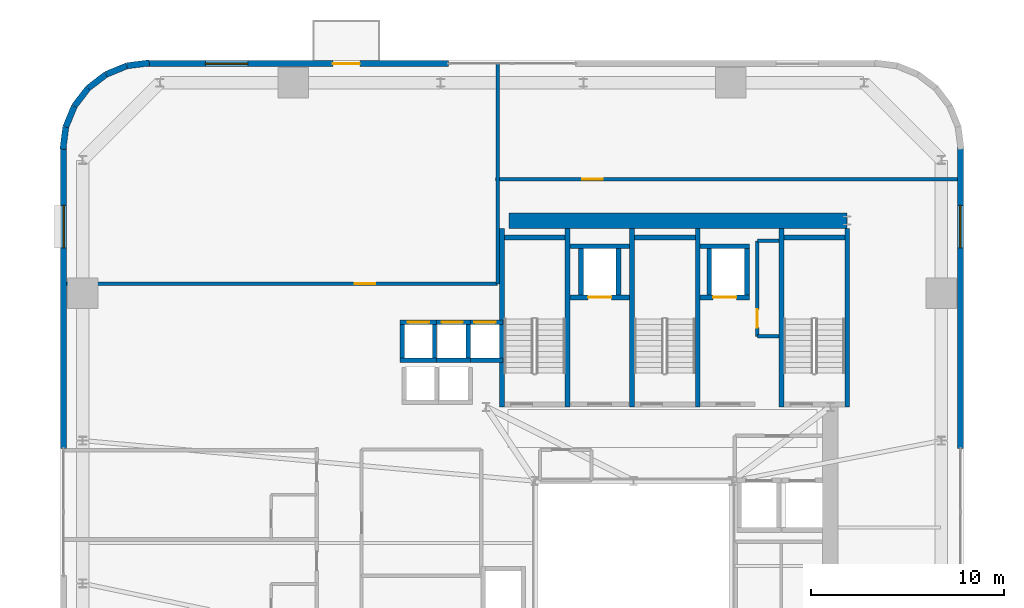
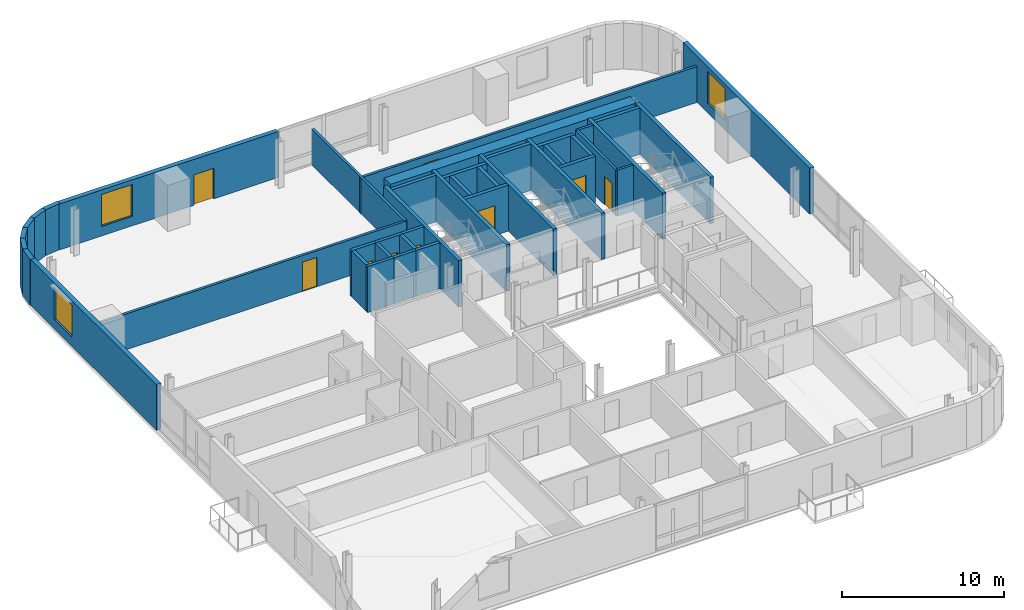
# One storey, part 8 of 14: 42 walls, 9 doors, 3 windows, 12 openings.
"""IFC4 building model written with IfcOpenShell, lengths in metres."""

from ifc_helpers import new_model, si_unit, direction, frame, frame_2d, origin, place, context, subcontext, project, spatial, rectangle, extrude, source, transform, mapped, material, layer, layer_set, type_object, element, fill, save


model = new_model("IFC4")

# Units and contexts
model_context = context("Model", 3, precision=1e-05, world=origin(), true_north=direction((0.0, 1.0)))
body_context = subcontext(model_context, "Body", "Model", "MODEL_VIEW")
ifc_project = project(units=[si_unit("LENGTHUNIT", "METRE"), si_unit("AREAUNIT", "SQUARE_METRE"), si_unit("VOLUMEUNIT", "CUBIC_METRE"), si_unit("PLANEANGLEUNIT", "RADIAN"), si_unit("MASSUNIT", "GRAM", prefix="KILO")], contexts=[model_context])

# Site, building, storey
site_placement = place(None, origin())
site = spatial("IfcSite", under=ifc_project, at=site_placement, CompositionType="ELEMENT")
building_placement = place(site_placement, origin())
building = spatial("IfcBuilding", under=site, at=building_placement, Name="Vardaveli Station Tower", CompositionType="ELEMENT")
storey_placement = place(building_placement, frame((0.0, 0.0, 144.60009765625)))
storey = spatial("IfcBuildingStorey", under=building, at=storey_placement, Name="L37", CompositionType="ELEMENT", Elevation=144.60009765625)

# Wall
ifc_material_1 = material(Name="Concrete C50/60", Category="concrete")
ifc_layer_1 = layer(ifc_material_1, 0.800048828125, Name="Concrete C50/60")
ifc_layer_set_1 = layer_set([ifc_layer_1], Name="Concrete C50/60")
wall_type_1 = type_object("IfcWallType", Name="WAL-CORE-800", PredefinedType="SHEAR", material=ifc_layer_set_1)
shared_shape_1 = source(origin(), body_context, "Body", "SweptSolid", [
    extrude(rectangle(XDim=17.52001953125, YDim=0.800048828125, at=frame_2d((8.760009765625, 0.0))), origin(), (0.0, 0.0, 1.0), 3.4599609375),
])
wall_1_placement = place(storey_placement, frame((29.85009765625, 40.300048828125, 0.0), z_axis=(0.0, 0.0, 1.0), x_axis=(1.0, 0.0, 0.0)))
element("IfcWall", 1, at=wall_1_placement, inside=storey, type_object=wall_type_1, Name="SW-L37-NORTH", PredefinedType="SHEAR", context=body_context, shape_type="MappedRepresentation", body=[
    mapped(shared_shape_1, transform((0.0, 0.0, 0.0), scale=1.0)),
])

# Wall, openings, door, window
ifc_material_2 = material(Name="Precast concrete C45/55", Category="concrete")
ifc_layer_2 = layer(ifc_material_2, 0.320068359375, Name="Precast concrete C45/55")
ifc_layer_set_2 = layer_set([ifc_layer_2], Name="Precast concrete C45/55")
wall_type_2 = type_object("IfcWallType", Name="WAL-EXT-STONE-320", PredefinedType="SOLIDWALL", material=ifc_layer_set_2)
shared_shape_2 = source(origin(), body_context, "Body", "SweptSolid", [
    extrude(rectangle(XDim=15.599853515625, YDim=0.320068359375, at=frame_2d((7.7998046875, 0.0))), origin(), (0.0, 0.0, 1.0), 3.4599609375),
])
wall_2_placement = place(storey_placement, frame((26.699951171875, 48.43994140625, 0.0), z_axis=(0.0, 0.0, 1.0), x_axis=(-1.0, 0.0, 0.0)))
wall_2 = element("IfcWall", 2, at=wall_2_placement, inside=storey, type_object=wall_type_2, Name="EW-L37-N2", PredefinedType="SOLIDWALL", context=body_context, shape_type="MappedRepresentation", body=[
    mapped(shared_shape_2, transform((0.0, 0.0, 0.0), scale=1.0)),
])
shared_shape_3 = source(origin(), body_context, "Body", "SweptSolid", [
    extrude(rectangle(XDim=1.39990234375, YDim=2.300048828125, at=frame_2d((0.699951171875, 1.14990234375))), frame((0.0, 0.169921875, 0.0), z_axis=(0.0, -1.0, 0.0), x_axis=(1.0, 0.0, 0.0)), (0.0, 0.0, 1.0), 0.340087890625),
])
opening_1_placement = place(wall_2_placement, frame((4.589599609375, 0.0, 0.0)))
opening_1 = element("IfcOpeningElement", 3, at=opening_1_placement, cuts=wall_2, Name="Opening D-09", PredefinedType="OPENING", context=body_context, shape_type="MappedRepresentation", body=[
    mapped(shared_shape_3, transform((0.0, 0.0, 0.0), scale=1.0)),
])
shared_shape_4 = source(origin(), body_context, "Body", "SweptSolid", [
    extrude(rectangle(XDim=2.199951171875, YDim=2.39990234375, at=frame_2d((1.10009765625, 1.199951171875))), frame((0.0, 0.169921875, 0.0), z_axis=(0.0, -1.0, 0.0), x_axis=(1.0, 0.0, 0.0)), (0.0, 0.0, 1.0), 0.340087890625),
])
opening_2_placement = place(wall_2_placement, frame((10.39501953125, 0.0, 0.719970703125)))
opening_2 = element("IfcOpeningElement", 4, at=opening_2_placement, cuts=wall_2, Name="Opening W-03", PredefinedType="OPENING", context=body_context, shape_type="MappedRepresentation", body=[
    mapped(shared_shape_4, transform((0.0, 0.0, 0.0), scale=1.0)),
])
ifc_material_3 = material(Name="Thermally broken aluminium glass", Category="aluminium")
door_type_1 = type_object("IfcDoorType", Name="DR-LOG-1400x2300", OperationType="DOUBLE_DOOR_SLIDING", PredefinedType="DOOR", material=ifc_material_3)
shared_shape_5 = source(origin(), body_context, "Body", "SweptSolid", [
    extrude(rectangle(XDim=1.39990234375, YDim=2.300048828125, at=frame_2d((0.699951171875, 1.14990234375))), frame((0.0, 0.02490234375, 0.0), z_axis=(0.0, -1.0, 0.0), x_axis=(1.0, 0.0, 0.0)), (0.0, 0.0, 1.0), 0.050048828125),
])
door_1_placement = place(opening_1_placement, frame((1.39990234375, 0.0, 0.0), z_axis=(0.0, 0.0, 1.0), x_axis=(-1.0, 0.0, 0.0)))
door_1 = element("IfcDoor", 5, at=door_1_placement, inside=storey, type_object=door_type_1, Name="DLG-L37-N", OperationType="DOUBLE_DOOR_SLIDING", OverallHeight=2.300048828125, OverallWidth=1.39990234375, PredefinedType="DOOR", context=body_context, shape_type="MappedRepresentation", body=[
    mapped(shared_shape_5, transform((0.0, 0.0, 0.0), scale=1.0)),
])
fill(opening_1, door_1)
ifc_material_4 = material(Name="Low-E solar-control glass", Category="glass")
window_type = type_object("IfcWindowType", Name="WIN-LOG-2200x2400", PartitioningType="SINGLE_PANEL", PredefinedType="WINDOW", material=ifc_material_4)
shared_shape_6 = source(origin(), body_context, "Body", "SweptSolid", [
    extrude(rectangle(XDim=2.199951171875, YDim=2.39990234375, at=frame_2d((1.10009765625, 1.199951171875))), frame((0.0, 0.030029296875, 0.0), z_axis=(0.0, -1.0, 0.0), x_axis=(1.0, 0.0, 0.0)), (0.0, 0.0, 1.0), 0.06005859375),
])
window_1_placement = place(opening_2_placement, origin())
window_1 = element("IfcWindow", 6, at=window_1_placement, inside=storey, type_object=window_type, Name="WN-L37-N2", OverallHeight=2.39990234375, OverallWidth=2.199951171875, PartitioningType="SINGLE_PANEL", PredefinedType="WINDOW", context=body_context, shape_type="MappedRepresentation", body=[
    mapped(shared_shape_6, transform((0.0, 0.0, 0.0), scale=1.0)),
])
fill(opening_2, window_1)

# Wall, opening, window
shared_shape_7 = source(origin(), body_context, "Body", "SweptSolid", [
    extrude(rectangle(XDim=15.60009765625, YDim=0.320068359375, at=frame_2d((7.800048828125, 0.0))), origin(), (0.0, 0.0, 1.0), 3.4599609375),
])
wall_3_placement = place(storey_placement, frame((6.760009765625, 44.10009765625, 0.0), z_axis=(0.0, 0.0, 1.0), x_axis=(0.0, -1.0, 0.0)))
wall_3 = element("IfcWall", 7, at=wall_3_placement, inside=storey, type_object=wall_type_2, Name="EW-L37-W1", PredefinedType="SOLIDWALL", context=body_context, shape_type="MappedRepresentation", body=[
    mapped(shared_shape_7, transform((0.0, 0.0, 0.0), scale=1.0)),
])
opening_3_placement = place(wall_3_placement, frame((3.0048828125, 0.0, 0.719970703125)))
opening_3 = element("IfcOpeningElement", 8, at=opening_3_placement, cuts=wall_3, Name="Opening W-03", PredefinedType="OPENING", context=body_context, shape_type="MappedRepresentation", body=[
    mapped(shared_shape_4, transform((0.0, 0.0, 0.0), scale=1.0)),
])
window_2_placement = place(opening_3_placement, origin())
window_2 = element("IfcWindow", 9, at=window_2_placement, inside=storey, type_object=window_type, Name="WN-L37-W1", OverallHeight=2.39990234375, OverallWidth=2.199951171875, PartitioningType="SINGLE_PANEL", PredefinedType="WINDOW", context=body_context, shape_type="MappedRepresentation", body=[
    mapped(shared_shape_6, transform((0.0, 0.0, 0.0), scale=1.0)),
])
fill(opening_3, window_2)

wall_4_placement = place(storey_placement, frame((53.239990234375, 28.5, 0.0), z_axis=(0.0, 0.0, 1.0), x_axis=(0.0, 1.0, 0.0)))
wall_4 = element("IfcWall", 10, at=wall_4_placement, inside=storey, type_object=wall_type_2, Name="EW-L37-E2", PredefinedType="SOLIDWALL", context=body_context, shape_type="MappedRepresentation", body=[
    mapped(shared_shape_7, transform((0.0, 0.0, 0.0), scale=1.0)),
])
opening_4_placement = place(wall_4_placement, frame((10.39501953125, 0.0, 0.719970703125)))
opening_4 = element("IfcOpeningElement", 11, at=opening_4_placement, cuts=wall_4, Name="Opening W-03", PredefinedType="OPENING", context=body_context, shape_type="MappedRepresentation", body=[
    mapped(shared_shape_4, transform((0.0, 0.0, 0.0), scale=1.0)),
])
window_3_placement = place(opening_4_placement, origin())
window_3 = element("IfcWindow", 12, at=window_3_placement, inside=storey, type_object=window_type, Name="WN-L37-E2", OverallHeight=2.39990234375, OverallWidth=2.199951171875, PartitioningType="SINGLE_PANEL", PredefinedType="WINDOW", context=body_context, shape_type="MappedRepresentation", body=[
    mapped(shared_shape_6, transform((0.0, 0.0, 0.0), scale=1.0)),
])
fill(opening_4, window_3)

# Walls
shared_shape_8 = source(origin(), body_context, "Body", "SweptSolid", [
    extrude(rectangle(XDim=1.1689453125, YDim=0.320068359375, at=frame_2d((0.58447265625, 0.0))), origin(), (0.0, 0.0, 1.0), 3.4599609375),
])
wall_5_placement = place(storey_placement, frame((8.03125, 47.1689453125, 0.0), z_axis=(0.0, 0.0, 1.0), x_axis=(-0.608387696831, -0.793639975269, 0.0)))
element("IfcWall", 13, at=wall_5_placement, inside=storey, type_object=wall_type_2, Name="EW-L37-CR4-4", PredefinedType="SOLIDWALL", context=body_context, shape_type="MappedRepresentation", body=[
    mapped(shared_shape_8, transform((0.0, 0.0, 0.0), scale=1.0)),
])
shared_shape_9 = source(origin(), body_context, "Body", "SweptSolid", [
    extrude(rectangle(XDim=1.168701171875, YDim=0.320068359375, at=frame_2d((0.58447265625, 0.0))), origin(), (0.0, 0.0, 1.0), 3.4599609375),
])
wall_6_placement = place(storey_placement, frame((8.958740234375, 47.8798828125, 0.0), z_axis=(0.0, 0.0, 1.0), x_axis=(-0.793663520347, -0.608356981114, 0.0)))
element("IfcWall", 14, at=wall_6_placement, inside=storey, type_object=wall_type_2, Name="EW-L37-CR4-3", PredefinedType="SOLIDWALL", context=body_context, shape_type="MappedRepresentation", body=[
    mapped(shared_shape_9, transform((0.0, 0.0, 0.0), scale=1.0)),
])
shared_shape_10 = source(origin(), body_context, "Body", "SweptSolid", [
    extrude(rectangle(XDim=1.17041015625, YDim=0.320068359375, at=frame_2d((0.585205078125, 0.0))), origin(), (0.0, 0.0, 1.0), 3.4599609375),
])
for number, where, z_axis, x_axis, name in (
    (15, (11.200439453125, 48.4755859375, 0.0), (0.0, 0.0, 1.0), (-0.991735963317, -0.128295670475, 0.0), "EW-L37-CR4-1"),
    (16, (6.87451171875, 45.16015625, 0.0), (0.0, 0.0, 1.0), (-0.128295670475, -0.991735963317, 0.0), "EW-L37-CR4-6"),
):
    element("IfcWall", number, at=place(storey_placement, frame(where, z_axis=z_axis, x_axis=x_axis)), inside=storey, type_object=wall_type_2, Name=name, PredefinedType="SOLIDWALL", context=body_context, shape_type="MappedRepresentation", body=[
        mapped(shared_shape_10, transform((0.0, 0.0, 0.0), scale=1.0)),
    ])
shared_shape_11 = source(origin(), body_context, "Body", "SweptSolid", [
    extrude(rectangle(XDim=1.169189453125, YDim=0.320068359375, at=frame_2d((0.58447265625, 0.0))), origin(), (0.0, 0.0, 1.0), 3.4599609375),
])
for number, where, z_axis, x_axis, name in (
    (17, (10.039794921875, 48.325439453125, 0.0), (0.0, 0.0, 1.0), (-0.924552646638, -0.381054331552, 0.0), "EW-L37-CR4-2"),
    (18, (7.320068359375, 46.2412109375, 0.0), (0.0, 0.0, 1.0), (-0.381054331552, -0.924552646638, 0.0), "EW-L37-CR4-5"),
):
    element("IfcWall", number, at=place(storey_placement, frame(where, z_axis=z_axis, x_axis=x_axis)), inside=storey, type_object=wall_type_2, Name=name, PredefinedType="SOLIDWALL", context=body_context, shape_type="MappedRepresentation", body=[
        mapped(shared_shape_11, transform((0.0, 0.0, 0.0), scale=1.0)),
    ])
ifc_material_5 = material(Name="Concrete C40/50", Category="concrete")
ifc_layer_3 = layer(ifc_material_5, 0.25, Name="Concrete C40/50")
ifc_layer_set_3 = layer_set([ifc_layer_3], Name="Concrete C40/50")
wall_type_3 = type_object("IfcWallType", Name="WAL-SHAFT-250", PredefinedType="SOLIDWALL", material=ifc_layer_set_3)
shared_shape_12 = source(origin(), body_context, "Body", "SweptSolid", [
    extrude(rectangle(XDim=9.25, YDim=0.25, at=frame_2d((4.625, 0.0))), origin(), (0.0, 0.0, 1.0), 3.5),
])
for number, where, z_axis, x_axis, name in (
    (19, (29.47509765625, 30.64990234375, 0.0), (0.0, 0.0, 1.0), (0.0, 1.0, 0.0), "W-L37-ST-1W"),
    (20, (32.875, 30.64990234375, 0.0), (0.0, 0.0, 1.0), (0.0, 1.0, 0.0), "W-L37-ST-1E"),
    (21, (36.22509765625, 30.64990234375, 0.0), (0.0, 0.0, 1.0), (0.0, 1.0, 0.0), "W-L37-ST-2W"),
    (22, (39.625, 30.64990234375, 0.0), (0.0, 0.0, 1.0), (0.0, 1.0, 0.0), "W-L37-ST-2E"),
    (23, (43.97509765625, 30.64990234375, 0.0), (0.0, 0.0, 1.0), (0.0, 1.0, 0.0), "W-L37-ST-3W"),
    (24, (47.375, 30.64990234375, 0.0), (0.0, 0.0, 1.0), (0.0, 1.0, 0.0), "W-L37-ST-3E"),
):
    element("IfcWall", number, at=place(storey_placement, frame(where, z_axis=z_axis, x_axis=x_axis)), inside=storey, type_object=wall_type_3, Name=name, PredefinedType="SOLIDWALL", context=body_context, shape_type="MappedRepresentation", body=[
        mapped(shared_shape_12, transform((0.0, 0.0, 0.0), scale=1.0)),
    ])
shared_shape_13 = source(origin(), body_context, "Body", "SweptSolid", [
    extrude(rectangle(XDim=3.14990234375, YDim=0.25, at=frame_2d((1.574951171875, 0.0))), origin(), (0.0, 0.0, 1.0), 3.5),
])
for number, where, z_axis, x_axis, name in (
    (25, (29.60009765625, 39.425048828125, 0.0), (0.0, 0.0, 1.0), (1.0, 0.0, 0.0), "W-L37-ST-1N"),
    (26, (36.35009765625, 39.425048828125, 0.0), (0.0, 0.0, 1.0), (1.0, 0.0, 0.0), "W-L37-ST-2N"),
    (27, (44.10009765625, 39.425048828125, 0.0), (0.0, 0.0, 1.0), (1.0, 0.0, 0.0), "W-L37-ST-3N"),
):
    element("IfcWall", number, at=place(storey_placement, frame(where, z_axis=z_axis, x_axis=x_axis)), inside=storey, type_object=wall_type_3, Name=name, PredefinedType="SOLIDWALL", context=body_context, shape_type="MappedRepresentation", body=[
        mapped(shared_shape_13, transform((0.0, 0.0, 0.0), scale=1.0)),
    ])
ifc_layer_4 = layer(ifc_material_5, 0.219970703125, Name="Concrete C40/50")
ifc_layer_set_4 = layer_set([ifc_layer_4], Name="Concrete C40/50")
wall_type_4 = type_object("IfcWallType", Name="WAL-FFLOBBY-220", PredefinedType="SOLIDWALL", material=ifc_layer_set_4)
shared_shape_14 = source(origin(), body_context, "Body", "SweptSolid", [
    extrude(rectangle(XDim=1.889892578125, YDim=0.219970703125, at=frame_2d((0.94482421875, 0.0))), origin(), (0.0, 0.0, 1.0), 3.4599609375),
])
wall_7_placement = place(storey_placement, frame((24.205078125, 33.06494140625, 0.0), z_axis=(0.0, 0.0, 1.0), x_axis=(1.0, 0.0, 0.0)))
element("IfcWall", 28, at=wall_7_placement, inside=storey, type_object=wall_type_4, Name="SHW-HL2-01-L37-S", PredefinedType="SOLIDWALL", context=body_context, shape_type="MappedRepresentation", body=[
    mapped(shared_shape_14, transform((0.0, 0.0, 0.0), scale=1.0)),
])

# Wall, opening, door
wall_8_placement = place(storey_placement, frame((24.205078125, 35.034912109375, 0.0), z_axis=(0.0, 0.0, 1.0), x_axis=(1.0, 0.0, 0.0)))
wall_8 = element("IfcWall", 29, at=wall_8_placement, inside=storey, type_object=wall_type_4, Name="SHW-HL2-01-L37-N", PredefinedType="SOLIDWALL", context=body_context, shape_type="MappedRepresentation", body=[
    mapped(shared_shape_14, transform((0.0, 0.0, 0.0), scale=1.0)),
])
shared_shape_15 = source(origin(), body_context, "Body", "SweptSolid", [
    extrude(rectangle(XDim=1.10009765625, YDim=2.199951171875, at=frame_2d((0.550048828125, 1.10009765625))), frame((0.0, 0.1201171875, 0.0), z_axis=(0.0, -1.0, 0.0), x_axis=(1.0, 0.0, 0.0)), (0.0, 0.0, 1.0), 0.239990234375),
])
opening_5_placement = place(wall_8_placement, frame((0.39501953125, 0.0, 0.0)))
opening_5 = element("IfcOpeningElement", 30, at=opening_5_placement, cuts=wall_8, Name="Opening LD-01", PredefinedType="OPENING", context=body_context, shape_type="MappedRepresentation", body=[
    mapped(shared_shape_15, transform((0.0, 0.0, 0.0), scale=1.0)),
])
ifc_material_6 = material(Name="Brushed stainless steel", Category="steel")
door_type_2 = type_object("IfcDoorType", Name="DR-LD-1100x2200", OperationType="DOUBLE_DOOR_SLIDING", PredefinedType="DOOR", material=ifc_material_6)
shared_shape_16 = source(origin(), body_context, "Body", "SweptSolid", [
    extrude(rectangle(XDim=1.10009765625, YDim=2.199951171875, at=frame_2d((0.550048828125, 1.10009765625))), frame((0.0, 0.02490234375, 0.0), z_axis=(0.0, -1.0, 0.0), x_axis=(1.0, 0.0, 0.0)), (0.0, 0.0, 1.0), 0.050048828125),
])
door_2_placement = place(opening_5_placement, origin())
door_2 = element("IfcDoor", 31, at=door_2_placement, inside=storey, type_object=door_type_2, Name="LD-HL2-01-L37", OperationType="DOUBLE_DOOR_SLIDING", OverallHeight=2.199951171875, OverallWidth=1.10009765625, PredefinedType="DOOR", context=body_context, shape_type="MappedRepresentation", body=[
    mapped(shared_shape_16, transform((0.0, 0.0, 0.0), scale=1.0)),
])
fill(opening_5, door_2)

# Wall
wall_9_placement = place(storey_placement, frame((25.955078125, 33.06494140625, 0.0), z_axis=(0.0, 0.0, 1.0), x_axis=(1.0, 0.0, 0.0)))
element("IfcWall", 32, at=wall_9_placement, inside=storey, type_object=wall_type_4, Name="SHW-HL2-02-L37-S", PredefinedType="SOLIDWALL", context=body_context, shape_type="MappedRepresentation", body=[
    mapped(shared_shape_14, transform((0.0, 0.0, 0.0), scale=1.0)),
])

# Wall, opening, door
wall_10_placement = place(storey_placement, frame((25.955078125, 35.034912109375, 0.0), z_axis=(0.0, 0.0, 1.0), x_axis=(1.0, 0.0, 0.0)))
wall_10 = element("IfcWall", 33, at=wall_10_placement, inside=storey, type_object=wall_type_4, Name="SHW-HL2-02-L37-N", PredefinedType="SOLIDWALL", context=body_context, shape_type="MappedRepresentation", body=[
    mapped(shared_shape_14, transform((0.0, 0.0, 0.0), scale=1.0)),
])
opening_6_placement = place(wall_10_placement, frame((0.39501953125, 0.0, 0.0)))
opening_6 = element("IfcOpeningElement", 34, at=opening_6_placement, cuts=wall_10, Name="Opening LD-01", PredefinedType="OPENING", context=body_context, shape_type="MappedRepresentation", body=[
    mapped(shared_shape_15, transform((0.0, 0.0, 0.0), scale=1.0)),
])
door_3_placement = place(opening_6_placement, origin())
door_3 = element("IfcDoor", 35, at=door_3_placement, inside=storey, type_object=door_type_2, Name="LD-HL2-02-L37", OperationType="DOUBLE_DOOR_SLIDING", OverallHeight=2.199951171875, OverallWidth=1.10009765625, PredefinedType="DOOR", context=body_context, shape_type="MappedRepresentation", body=[
    mapped(shared_shape_16, transform((0.0, 0.0, 0.0), scale=1.0)),
])
fill(opening_6, door_3)

# Wall
wall_11_placement = place(storey_placement, frame((27.655029296875, 33.06494140625, 0.0), z_axis=(0.0, 0.0, 1.0), x_axis=(1.0, 0.0, 0.0)))
element("IfcWall", 36, at=wall_11_placement, inside=storey, type_object=wall_type_4, Name="SHW-HL2-03-L37-S", PredefinedType="SOLIDWALL", context=body_context, shape_type="MappedRepresentation", body=[
    mapped(shared_shape_14, transform((0.0, 0.0, 0.0), scale=1.0)),
])

# Wall, opening, door
wall_12_placement = place(storey_placement, frame((27.655029296875, 35.034912109375, 0.0), z_axis=(0.0, 0.0, 1.0), x_axis=(1.0, 0.0, 0.0)))
wall_12 = element("IfcWall", 37, at=wall_12_placement, inside=storey, type_object=wall_type_4, Name="SHW-HL2-03-L37-N", PredefinedType="SOLIDWALL", context=body_context, shape_type="MappedRepresentation", body=[
    mapped(shared_shape_14, transform((0.0, 0.0, 0.0), scale=1.0)),
])
opening_7_placement = place(wall_12_placement, frame((0.39501953125, 0.0, 0.0)))
opening_7 = element("IfcOpeningElement", 38, at=opening_7_placement, cuts=wall_12, Name="Opening LD-01", PredefinedType="OPENING", context=body_context, shape_type="MappedRepresentation", body=[
    mapped(shared_shape_15, transform((0.0, 0.0, 0.0), scale=1.0)),
])
door_4_placement = place(opening_7_placement, origin())
door_4 = element("IfcDoor", 39, at=door_4_placement, inside=storey, type_object=door_type_2, Name="LD-HL2-03-L37", OperationType="DOUBLE_DOOR_SLIDING", OverallHeight=2.199951171875, OverallWidth=1.10009765625, PredefinedType="DOOR", context=body_context, shape_type="MappedRepresentation", body=[
    mapped(shared_shape_16, transform((0.0, 0.0, 0.0), scale=1.0)),
])
fill(opening_7, door_4)

# Walls
shared_shape_17 = source(origin(), body_context, "Body", "SweptSolid", [
    extrude(rectangle(XDim=1.75, YDim=0.219970703125, at=frame_2d((0.875, 0.0))), origin(), (0.0, 0.0, 1.0), 3.4599609375),
])
for number, where, z_axis, x_axis, name in (
    (40, (24.31494140625, 33.175048828125, 0.0), (0.0, 0.0, 1.0), (0.0, 1.0, 0.0), "SHW-HL2-01-L37-W"),
    (41, (25.985107421875, 33.175048828125, 0.0), (0.0, 0.0, 1.0), (0.0, 1.0, 0.0), "SHW-HL2-01-L37-E"),
    (42, (27.735107421875, 33.175048828125, 0.0), (0.0, 0.0, 1.0), (0.0, 1.0, 0.0), "SHW-HL2-02-L37-E"),
):
    element("IfcWall", number, at=place(storey_placement, frame(where, z_axis=z_axis, x_axis=x_axis)), inside=storey, type_object=wall_type_4, Name=name, PredefinedType="SOLIDWALL", context=body_context, shape_type="MappedRepresentation", body=[
        mapped(shared_shape_17, transform((0.0, 0.0, 0.0), scale=1.0)),
    ])

# Wall, opening, door
shared_shape_18 = source(origin(), body_context, "Body", "SweptSolid", [
    extrude(rectangle(XDim=3.10009765625, YDim=0.25, at=frame_2d((1.550048828125, 0.0))), origin(), (0.0, 0.0, 1.0), 3.4599609375),
])
wall_13_placement = place(storey_placement, frame((33.0, 36.324951171875, 0.0), z_axis=(0.0, 0.0, 1.0), x_axis=(1.0, 0.0, 0.0)))
wall_13 = element("IfcWall", 43, at=wall_13_placement, inside=storey, type_object=wall_type_3, Name="SHW-FFL-01-L37-S", PredefinedType="SOLIDWALL", context=body_context, shape_type="MappedRepresentation", body=[
    mapped(shared_shape_18, transform((0.0, 0.0, 0.0), scale=1.0)),
])
shared_shape_19 = source(origin(), body_context, "Body", "SweptSolid", [
    extrude(rectangle(XDim=1.199951171875, YDim=2.25, at=frame_2d((0.60009765625, 1.125))), frame((0.0, 0.135009765625, 0.0), z_axis=(0.0, -1.0, 0.0), x_axis=(1.0, 0.0, 0.0)), (0.0, 0.0, 1.0), 0.27001953125),
])
opening_8_placement = place(wall_13_placement, frame((0.949951171875, 0.0, 0.0)))
opening_8 = element("IfcOpeningElement", 44, at=opening_8_placement, cuts=wall_13, Name="Opening LD-02", PredefinedType="OPENING", context=body_context, shape_type="MappedRepresentation", body=[
    mapped(shared_shape_19, transform((0.0, 0.0, 0.0), scale=1.0)),
])
door_type_3 = type_object("IfcDoorType", Name="DR-LD-1200x2250", OperationType="DOUBLE_DOOR_SLIDING", PredefinedType="DOOR", material=ifc_material_6)
shared_shape_20 = source(origin(), body_context, "Body", "SweptSolid", [
    extrude(rectangle(XDim=1.199951171875, YDim=2.25, at=frame_2d((0.60009765625, 1.125))), frame((0.0, 0.02490234375, 0.0), z_axis=(0.0, -1.0, 0.0), x_axis=(1.0, 0.0, 0.0)), (0.0, 0.0, 1.0), 0.050048828125),
])
door_5_placement = place(opening_8_placement, origin())
door_5 = element("IfcDoor", 45, at=door_5_placement, inside=storey, type_object=door_type_3, Name="LD-FFL-01-L37", OperationType="DOUBLE_DOOR_SLIDING", OverallHeight=2.25, OverallWidth=1.199951171875, PredefinedType="DOOR", context=body_context, shape_type="MappedRepresentation", body=[
    mapped(shared_shape_20, transform((0.0, 0.0, 0.0), scale=1.0)),
])
fill(opening_8, door_5)

# Walls
wall_14_placement = place(storey_placement, frame((33.0, 38.97509765625, 0.0), z_axis=(0.0, 0.0, 1.0), x_axis=(1.0, 0.0, 0.0)))
element("IfcWall", 46, at=wall_14_placement, inside=storey, type_object=wall_type_3, Name="SHW-FFL-01-L37-N", PredefinedType="SOLIDWALL", context=body_context, shape_type="MappedRepresentation", body=[
    mapped(shared_shape_18, transform((0.0, 0.0, 0.0), scale=1.0)),
])
shared_shape_21 = source(origin(), body_context, "Body", "SweptSolid", [
    extrude(rectangle(XDim=2.400146484375, YDim=0.25, at=frame_2d((1.2001953125, 0.0))), origin(), (0.0, 0.0, 1.0), 3.4599609375),
])
for number, where, z_axis, x_axis, name in (
    (47, (33.574951171875, 36.449951171875, 0.0), (0.0, 0.0, 1.0), (0.0, 1.0, 0.0), "SHW-FFL-01-L37-W"),
    (48, (35.52490234375, 36.449951171875, 0.0), (0.0, 0.0, 1.0), (0.0, 1.0, 0.0), "SHW-FFL-01-L37-E"),
    (49, (40.22509765625, 36.449951171875, 0.0), (0.0, 0.0, 1.0), (0.0, 1.0, 0.0), "SHW-FFL-02-L37-W"),
    (50, (42.175048828125, 36.449951171875, 0.0), (0.0, 0.0, 1.0), (0.0, 1.0, 0.0), "SHW-FFL-02-L37-E"),
):
    element("IfcWall", number, at=place(storey_placement, frame(where, z_axis=z_axis, x_axis=x_axis)), inside=storey, type_object=wall_type_3, Name=name, PredefinedType="SOLIDWALL", context=body_context, shape_type="MappedRepresentation", body=[
        mapped(shared_shape_21, transform((0.0, 0.0, 0.0), scale=1.0)),
    ])

# Wall, opening, door
shared_shape_22 = source(origin(), body_context, "Body", "SweptSolid", [
    extrude(rectangle(XDim=2.550048828125, YDim=0.25, at=frame_2d((1.27490234375, 0.0))), origin(), (0.0, 0.0, 1.0), 3.4599609375),
])
wall_15_placement = place(storey_placement, frame((39.75, 36.324951171875, 0.0), z_axis=(0.0, 0.0, 1.0), x_axis=(1.0, 0.0, 0.0)))
wall_15 = element("IfcWall", 51, at=wall_15_placement, inside=storey, type_object=wall_type_3, Name="SHW-FFL-02-L37-S", PredefinedType="SOLIDWALL", context=body_context, shape_type="MappedRepresentation", body=[
    mapped(shared_shape_22, transform((0.0, 0.0, 0.0), scale=1.0)),
])
opening_9_placement = place(wall_15_placement, frame((0.675048828125, 0.0, 0.0)))
opening_9 = element("IfcOpeningElement", 52, at=opening_9_placement, cuts=wall_15, Name="Opening LD-02", PredefinedType="OPENING", context=body_context, shape_type="MappedRepresentation", body=[
    mapped(shared_shape_19, transform((0.0, 0.0, 0.0), scale=1.0)),
])
door_6_placement = place(opening_9_placement, origin())
door_6 = element("IfcDoor", 53, at=door_6_placement, inside=storey, type_object=door_type_3, Name="LD-FFL-02-L37", OperationType="DOUBLE_DOOR_SLIDING", OverallHeight=2.25, OverallWidth=1.199951171875, PredefinedType="DOOR", context=body_context, shape_type="MappedRepresentation", body=[
    mapped(shared_shape_20, transform((0.0, 0.0, 0.0), scale=1.0)),
])
fill(opening_9, door_6)

# Wall
wall_16_placement = place(storey_placement, frame((39.75, 38.97509765625, 0.0), z_axis=(0.0, 0.0, 1.0), x_axis=(1.0, 0.0, 0.0)))
element("IfcWall", 54, at=wall_16_placement, inside=storey, type_object=wall_type_3, Name="SHW-FFL-02-L37-N", PredefinedType="SOLIDWALL", context=body_context, shape_type="MappedRepresentation", body=[
    mapped(shared_shape_22, transform((0.0, 0.0, 0.0), scale=1.0)),
])

# Wall, opening, door
ifc_material_7 = material(Name="Fire-rated gypsum stud partition")
ifc_layer_5 = layer(ifc_material_7, 0.179931640625, Name="Fire-rated gypsum stud partition")
ifc_layer_set_5 = layer_set([ifc_layer_5], Name="Fire-rated gypsum stud partition")
wall_type_5 = type_object("IfcWallType", Name="WAL-CORR-180", PredefinedType="PARTITIONING", material=ifc_layer_set_5)
shared_shape_23 = source(origin(), body_context, "Body", "SweptSolid", [
    extrude(rectangle(XDim=23.927978515625, YDim=0.179931640625, at=frame_2d((11.9638671875, 0.0))), origin(), (0.0, 0.0, 1.0), 2.701904296875),
])
wall_17_placement = place(storey_placement, frame((29.14990234375, 42.449951171875, 0.0), z_axis=(0.0, 0.0, 1.0), x_axis=(1.0, 0.0, 0.0)))
wall_17 = element("IfcWall", 55, at=wall_17_placement, inside=storey, type_object=wall_type_5, Name="W-L37-NPS", PredefinedType="PARTITIONING", context=body_context, shape_type="MappedRepresentation", body=[
    mapped(shared_shape_23, transform((0.0, 0.0, 0.0), scale=1.0)),
])
shared_shape_24 = source(origin(), body_context, "Body", "SweptSolid", [
    extrude(rectangle(XDim=1.050048828125, YDim=2.199951171875, at=frame_2d((0.52490234375, 1.10009765625))), frame((0.0, 0.10009765625, 0.0), z_axis=(0.0, -1.0, 0.0), x_axis=(1.0, 0.0, 0.0)), (0.0, 0.0, 1.0), 0.199951171875),
])
opening_10_placement = place(wall_17_placement, frame((4.5, 0.0, 0.0)))
opening_10 = element("IfcOpeningElement", 56, at=opening_10_placement, cuts=wall_17, Name="Opening D-05", PredefinedType="OPENING", context=body_context, shape_type="MappedRepresentation", body=[
    mapped(shared_shape_24, transform((0.0, 0.0, 0.0), scale=1.0)),
])
ifc_material_8 = material(Name="Walnut veneer acoustic fire door")
door_type_4 = type_object("IfcDoorType", Name="DR-SUITE-1050x2200", OperationType="NOTDEFINED", PredefinedType="DOOR", material=ifc_material_8)
shared_shape_25 = source(origin(), body_context, "Body", "SweptSolid", [
    extrude(rectangle(XDim=1.050048828125, YDim=2.199951171875, at=frame_2d((0.52490234375, 1.10009765625))), frame((0.0, 0.02490234375, 0.0), z_axis=(0.0, -1.0, 0.0), x_axis=(1.0, 0.0, 0.0)), (0.0, 0.0, 1.0), 0.050048828125),
])
door_7_placement = place(opening_10_placement, origin())
door_7 = element("IfcDoor", 57, at=door_7_placement, inside=storey, type_object=door_type_4, Name="D-L37-NP1", OperationType="SINGLE_SWING_LEFT", OverallHeight=2.199951171875, OverallWidth=1.050048828125, PredefinedType="DOOR", context=body_context, shape_type="MappedRepresentation", body=[
    mapped(shared_shape_25, transform((0.0, 0.0, 0.0), scale=1.0)),
])
fill(opening_10, door_7)

shared_shape_26 = source(origin(), body_context, "Body", "SweptSolid", [
    extrude(rectangle(XDim=22.327880859375, YDim=0.179931640625, at=frame_2d((11.1640625, 0.0))), origin(), (0.0, 0.0, 1.0), 2.701904296875),
])
wall_18_placement = place(storey_placement, frame((6.922119140625, 37.02001953125, 0.0), z_axis=(0.0, 0.0, 1.0), x_axis=(1.0, 0.0, 0.0)))
wall_18 = element("IfcWall", 58, at=wall_18_placement, inside=storey, type_object=wall_type_5, Name="W-L37-CNWS", PredefinedType="PARTITIONING", context=body_context, shape_type="MappedRepresentation", body=[
    mapped(shared_shape_26, transform((0.0, 0.0, 0.0), scale=1.0)),
])
opening_11_placement = place(wall_18_placement, frame((14.927978515625, 0.0, 0.0)))
opening_11 = element("IfcOpeningElement", 59, at=opening_11_placement, cuts=wall_18, Name="Opening D-05", PredefinedType="OPENING", context=body_context, shape_type="MappedRepresentation", body=[
    mapped(shared_shape_24, transform((0.0, 0.0, 0.0), scale=1.0)),
])
door_8_placement = place(opening_11_placement, origin())
door_8 = element("IfcDoor", 60, at=door_8_placement, inside=storey, type_object=door_type_4, Name="D-L37-GNW1", OperationType="SINGLE_SWING_RIGHT", OverallHeight=2.199951171875, OverallWidth=1.050048828125, PredefinedType="DOOR", context=body_context, shape_type="MappedRepresentation", body=[
    mapped(shared_shape_25, transform((0.0, 0.0, 0.0), scale=1.0)),
])
fill(opening_11, door_8)

shared_shape_27 = source(origin(), body_context, "Body", "SweptSolid", [
    extrude(rectangle(XDim=4.949951171875, YDim=0.179931640625, at=frame_2d((2.47509765625, 0.0))), origin(), (0.0, 0.0, 1.0), 3.4599609375),
])
wall_19_placement = place(storey_placement, frame((42.719970703125, 34.300048828125, 0.0), z_axis=(0.0, 0.0, 1.0), x_axis=(0.0, 1.0, 0.0)))
wall_19 = element("IfcWall", 61, at=wall_19_placement, inside=storey, type_object=wall_type_5, Name="W-L37-CBS1-W", PredefinedType="PARTITIONING", context=body_context, shape_type="MappedRepresentation", body=[
    mapped(shared_shape_27, transform((0.0, 0.0, 0.0), scale=1.0)),
])
shared_shape_28 = source(origin(), body_context, "Body", "SweptSolid", [
    extrude(rectangle(XDim=0.949951171875, YDim=2.14990234375, at=frame_2d((0.47509765625, 1.074951171875))), frame((0.0, 0.10009765625, 0.0), z_axis=(0.0, -1.0, 0.0), x_axis=(1.0, 0.0, 0.0)), (0.0, 0.0, 1.0), 0.199951171875),
])
opening_12_placement = place(wall_19_placement, frame((0.449951171875, 0.0, 0.0)))
opening_12 = element("IfcOpeningElement", 62, at=opening_12_placement, cuts=wall_19, Name="Opening D-06", PredefinedType="OPENING", context=body_context, shape_type="MappedRepresentation", body=[
    mapped(shared_shape_28, transform((0.0, 0.0, 0.0), scale=1.0)),
])
ifc_material_9 = material(Name="Oak veneer acoustic fire door")
door_type_5 = type_object("IfcDoorType", Name="DR-GUEST-950x2150", OperationType="NOTDEFINED", PredefinedType="DOOR", material=ifc_material_9)
shared_shape_29 = source(origin(), body_context, "Body", "SweptSolid", [
    extrude(rectangle(XDim=0.949951171875, YDim=2.14990234375, at=frame_2d((0.47509765625, 1.074951171875))), frame((0.0, 0.02490234375, 0.0), z_axis=(0.0, -1.0, 0.0), x_axis=(1.0, 0.0, 0.0)), (0.0, 0.0, 1.0), 0.050048828125),
])
door_9_placement = place(opening_12_placement, origin())
door_9 = element("IfcDoor", 63, at=door_9_placement, inside=storey, type_object=door_type_5, Name="D-L37-HKP", OperationType="SINGLE_SWING_LEFT", OverallHeight=2.14990234375, OverallWidth=0.949951171875, PredefinedType="DOOR", context=body_context, shape_type="MappedRepresentation", body=[
    mapped(shared_shape_29, transform((0.0, 0.0, 0.0), scale=1.0)),
])
fill(opening_12, door_9)

# Walls
shared_shape_30 = source(origin(), body_context, "Body", "SweptSolid", [
    extrude(rectangle(XDim=11.449951171875, YDim=0.179931640625, at=frame_2d((5.72509765625, 0.0))), origin(), (0.0, 0.0, 1.0), 2.701904296875),
])
wall_20_placement = place(storey_placement, frame((29.25, 37.02001953125, 0.0), z_axis=(0.0, 0.0, 1.0), x_axis=(0.0, 1.0, 0.0)))
element("IfcWall", 64, at=wall_20_placement, inside=storey, type_object=wall_type_5, Name="W-L37-CNWE", PredefinedType="PARTITIONING", context=body_context, shape_type="MappedRepresentation", body=[
    mapped(shared_shape_30, transform((0.0, 0.0, 0.0), scale=1.0)),
])
shared_shape_31 = source(origin(), body_context, "Body", "SweptSolid", [
    extrude(rectangle(XDim=1.1279296875, YDim=0.179931640625, at=frame_2d((0.56396484375, 0.0))), origin(), (0.0, 0.0, 1.0), 3.4599609375),
])
for number, where, z_axis, x_axis, name in (
    (65, (42.719970703125, 34.300048828125, 0.0), (0.0, 0.0, 1.0), (1.0, 0.0, 0.0), "W-L37-CBS1-S"),
    (66, (42.719970703125, 39.25, 0.0), (0.0, 0.0, 1.0), (1.0, 0.0, 0.0), "W-L37-CBS1-N"),
):
    element("IfcWall", number, at=place(storey_placement, frame(where, z_axis=z_axis, x_axis=x_axis)), inside=storey, type_object=wall_type_5, Name=name, PredefinedType="PARTITIONING", context=body_context, shape_type="MappedRepresentation", body=[
        mapped(shared_shape_31, transform((0.0, 0.0, 0.0), scale=1.0)),
    ])

save(model, "model.ifc")
